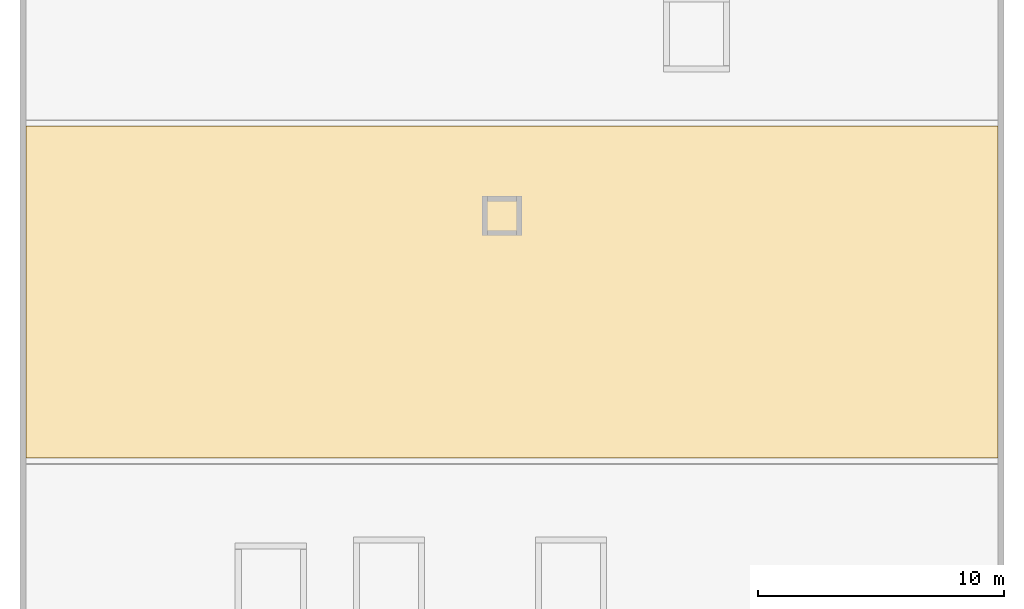
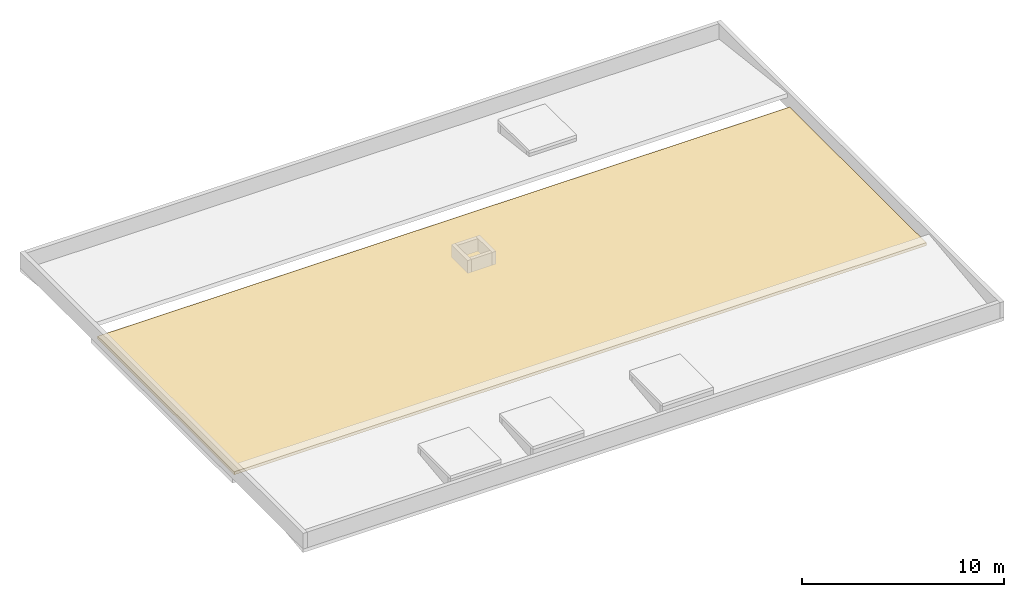
# One storey, part 2 of 2: 1 covering.
"""IFC4 building model written with IfcOpenShell, lengths in metres."""

from ifc_helpers import new_model, si_unit, direction, frame, origin, place, context, subcontext, project, spatial, polyline, outline, extrude, material, layer, layer_set, type_object, element, save


model = new_model("IFC4")

# Units and contexts
model_context = context("Model", 3, precision=1e-05, world=origin(), true_north=direction((0.0, 1.0)))
body_context = subcontext(model_context, "Body", "Model", "MODEL_VIEW")
ifc_project = project(units=[si_unit("LENGTHUNIT", "METRE"), si_unit("AREAUNIT", "SQUARE_METRE"), si_unit("VOLUMEUNIT", "CUBIC_METRE"), si_unit("PLANEANGLEUNIT", "RADIAN"), si_unit("MASSUNIT", "GRAM", prefix="KILO")], contexts=[model_context])

# Site, building, storey
site_placement = place(None, origin())
site = spatial("IfcSite", under=ifc_project, at=site_placement, CompositionType="ELEMENT")
building_placement = place(site_placement, origin())
building = spatial("IfcBuilding", under=site, at=building_placement, Name="Naurynzar Civic Courthouse", CompositionType="ELEMENT")
storey_placement = place(building_placement, frame((0.0, 0.0, 40.800048828125)))
storey = spatial("IfcBuildingStorey", under=building, at=storey_placement, Name="ROOF", CompositionType="ELEMENT", Elevation=40.800048828125)

# Covering
ifc_material = material(Name="Waterproofing Membrane and Rigid Insulation")
ifc_layer = layer(ifc_material, 0.179931640625)
ifc_layer_set = layer_set([ifc_layer], Name="COV-ROOF-MEMB-180")
covering_type = type_object("IfcCoveringType", Name="COV-ROOF-MEMB-180", PredefinedType="ROOFING", material=ifc_layer_set)
covering_placement = place(storey_placement, origin())
element("IfcCovering", 1, at=covering_placement, inside=storey, type_object=covering_type, Name="Insulated roof waterproofing membrane RM-V2-CEN", PredefinedType="ROOFING", context=body_context, shape_type="SweptSolid", body=[
    extrude(outline(polyline([(69.25, 51.25), (108.75, 51.25), (108.75, 64.75), (69.25, 64.75), (69.25, 51.25)])), origin(), (0.0, 0.0, 1.0), 0.179931640625),
])

save(model, "model.ifc")
